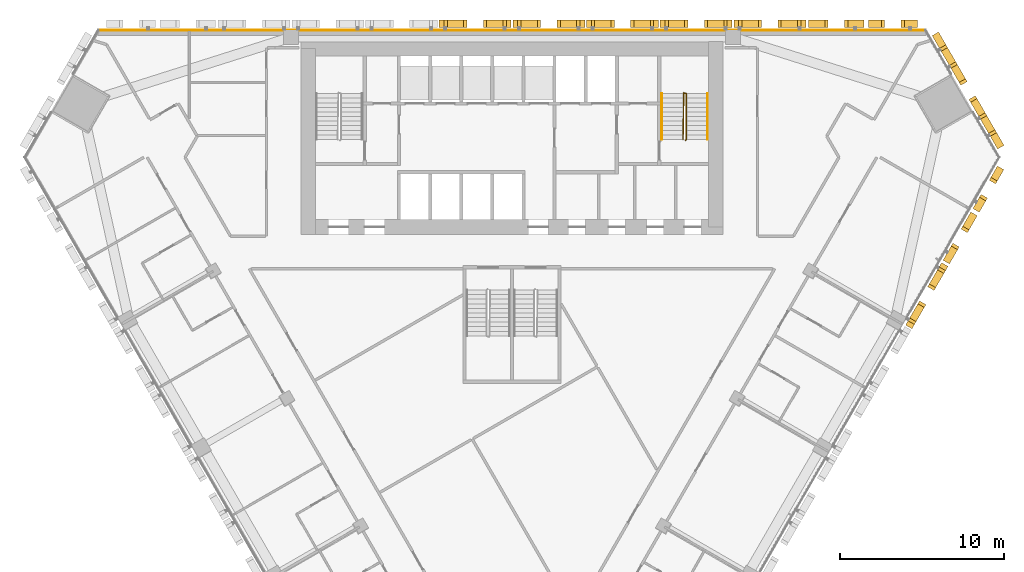
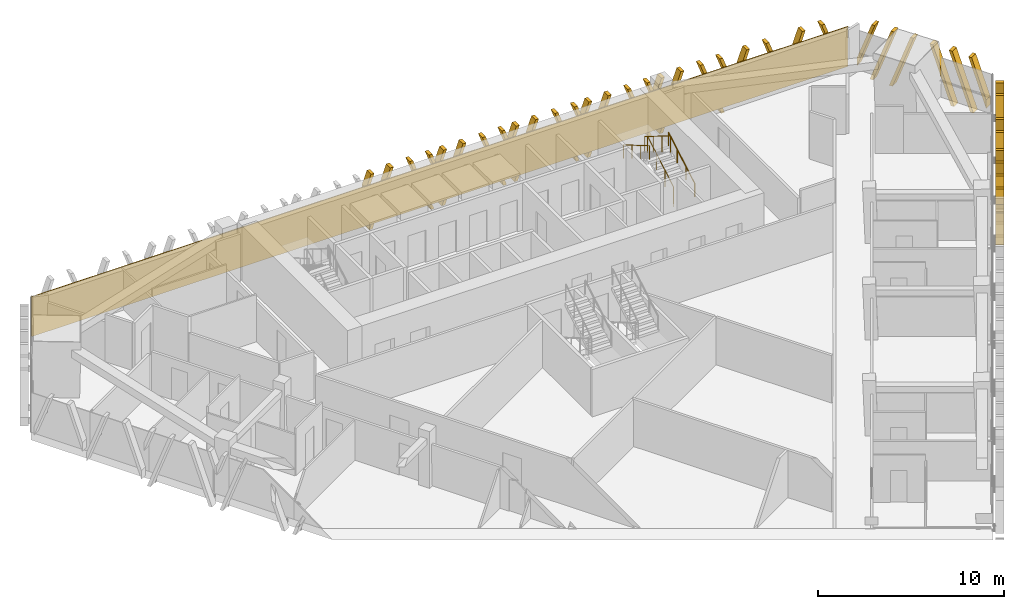
# One storey, part 15 of 16: 11 shading devices, 3 railings, 1 covering.
"""IFC4 building model written with IfcOpenShell, lengths in metres."""

from ifc_helpers import new_model, si_unit, direction, frame, frame_2d, origin, origin_2d, place, context, subcontext, project, spatial, polyline, rectangle, circle, outline, extrude, source, transform, mapped, material, layer, layer_set, type_object, element, save


model = new_model("IFC4")

# Units and contexts
model_context = context("Model", 3, precision=1e-05, world=origin(), true_north=direction((0.0, 1.0)))
body_context = subcontext(model_context, "Body", "Model", "MODEL_VIEW")
ifc_project = project(units=[si_unit("LENGTHUNIT", "METRE"), si_unit("AREAUNIT", "SQUARE_METRE"), si_unit("VOLUMEUNIT", "CUBIC_METRE"), si_unit("PLANEANGLEUNIT", "RADIAN"), si_unit("MASSUNIT", "GRAM", prefix="KILO")], contexts=[model_context])

# Site, building, storey
site_placement = place(None, origin())
site = spatial("IfcSite", under=ifc_project, at=site_placement, CompositionType="ELEMENT")
building_placement = place(site_placement, origin())
building = spatial("IfcBuilding", under=site, at=building_placement, Name="Altiplano Prism Tower", CompositionType="ELEMENT")
storey_placement = place(building_placement, frame((0.0, 0.0, 73.800048828125)))
storey = spatial("IfcBuildingStorey", under=building, at=storey_placement, Name="L18", CompositionType="ELEMENT", Elevation=73.800048828125)

# Railings
ifc_material_1 = material(Name="Steel S355", Category="steel")
railing_type_1 = type_object("IfcRailingType", Name="Stair guard 1100", PredefinedType="GUARDRAIL", material=ifc_material_1)
railing_1_placement = place(storey_placement, frame((95.60009765625, 98.25, 0.0)))
element("IfcRailing", 1, at=railing_1_placement, inside=storey, type_object=railing_type_1, Name="L18 ST2 stair guard 1", PredefinedType="GUARDRAIL", context=body_context, shape_type="SweptSolid", body=[
    extrude(circle(Radius=0.02392578125, at=origin_2d()), frame((0.0, 0.0, 1.076171875), z_axis=(0.279546231943, 0.280916556609, 0.91811752648), x_axis=(-0.708833529934, 0.705375805398, 0.0)), (0.0, 0.0, 1.0), 0.17822265625),
    extrude(circle(Radius=0.02392578125, at=origin_2d()), frame((0.0498046875, 0.050048828125, 1.23974609375), z_axis=(0.0, 0.863360870873, 0.504586966384), x_axis=(-1.0, 0.0, 0.0)), (0.0, 0.0, 1.0), 3.2431640625),
    extrude(circle(Radius=0.02392578125, at=origin_2d()), frame((0.0498046875, 2.85009765625, 2.8759765625), z_axis=(-0.948991962702, 0.315300261223, 0.0), x_axis=(-0.315300261223, -0.948991962702, 0.0)), (0.0, 0.0, 1.0), 0.157958984375),
    extrude(circle(Radius=0.02392578125, at=origin_2d()), frame((-0.10009765625, 2.89990234375, 2.8759765625), z_axis=(-0.014846992469, -0.845409478506, 0.533912334065), x_axis=(0.999845825584, -0.017559187376, 0.0)), (0.0, 0.0, 1.0), 3.37109375),
    extrude(circle(Radius=0.02099609375, at=origin_2d()), origin(), (0.0, 0.0, 1.0), 1.052001953125),
    extrude(circle(Radius=0.02099609375, at=origin_2d()), frame((0.0498046875, 0.050048828125, 0.16357421875)), (0.0, 0.0, 1.0), 1.052001953125),
    extrude(circle(Radius=0.02099609375, at=origin_2d()), frame((0.0498046875, 0.9833984375, 0.708984375)), (0.0, 0.0, 1.0), 1.052001953125),
    extrude(circle(Radius=0.02099609375, at=origin_2d()), frame((0.0498046875, 1.916748046875, 1.254638671875)), (0.0, 0.0, 1.0), 1.052001953125),
    extrude(circle(Radius=0.02099609375, at=origin_2d()), frame((0.0498046875, 2.85009765625, 1.800048828125)), (0.0, 0.0, 1.0), 1.052001953125),
    extrude(circle(Radius=0.02099609375, at=origin_2d()), frame((-0.10009765625, 2.89990234375, 1.800048828125)), (0.0, 0.0, 1.0), 1.052001953125),
    extrude(circle(Radius=0.02099609375, at=origin_2d()), frame((-0.11669921875, 1.949951171875, 2.39990234375)), (0.0, 0.0, 1.0), 1.052001953125),
    extrude(circle(Radius=0.02099609375, at=origin_2d()), frame((-0.133544921875, 1.0, 3.0)), (0.0, 0.0, 1.0), 1.052001953125),
    extrude(circle(Radius=0.02099609375, at=origin_2d()), frame((-0.150146484375, 0.050048828125, 3.599853515625)), (0.0, 0.0, 1.0), 1.052001953125),
])
railing_type_2 = type_object("IfcRailingType", Name="Stair handrail 900", PredefinedType="HANDRAIL", material=ifc_material_1)
railing_2_placement = place(storey_placement, frame((96.949951171875, 98.300048828125, 0.16357421875)))
element("IfcRailing", 2, at=railing_2_placement, inside=storey, type_object=railing_type_2, Name="L18 ST2 stair handrail 1", PredefinedType="HANDRAIL", context=body_context, shape_type="SweptSolid", body=[
    extrude(circle(Radius=0.02392578125, at=origin_2d()), frame((0.0, 0.0, 0.8759765625), z_axis=(0.0, 0.863360870873, 0.504586966384), x_axis=(-1.0, 0.0, 0.0)), (0.0, 0.0, 1.0), 3.2431640625),
    extrude(circle(Radius=0.02099609375, at=origin_2d()), origin(), (0.0, 0.0, 1.0), 0.851806640625),
    extrude(circle(Radius=0.02099609375, at=origin_2d()), frame((0.0, 0.933349609375, 0.54541015625)), (0.0, 0.0, 1.0), 0.851806640625),
    extrude(circle(Radius=0.02099609375, at=origin_2d()), frame((0.0, 1.86669921875, 1.091064453125)), (0.0, 0.0, 1.0), 0.851806640625),
    extrude(circle(Radius=0.02099609375, at=origin_2d()), frame((0.0, 2.800048828125, 1.636474609375)), (0.0, 0.0, 1.0), 0.851806640625),
])
railing_3_placement = place(storey_placement, frame((94.14990234375, 101.10009765625, 1.963623046875)))
element("IfcRailing", 3, at=railing_3_placement, inside=storey, type_object=railing_type_2, Name="L18 ST2 stair handrail 2", PredefinedType="HANDRAIL", context=body_context, shape_type="SweptSolid", body=[
    extrude(circle(Radius=0.02392578125, at=origin_2d()), frame((0.0, 0.0, 0.8759765625), z_axis=(0.0, -0.863393664356, 0.504530851732), x_axis=(1.0, 0.0, 0.0)), (0.0, 0.0, 1.0), 3.2431640625),
    extrude(circle(Radius=0.02099609375, at=origin_2d()), origin(), (0.0, 0.0, 1.0), 0.851806640625),
    extrude(circle(Radius=0.02099609375, at=origin_2d()), frame((0.0, -0.933349609375, 0.54541015625)), (0.0, 0.0, 1.0), 0.851806640625),
    extrude(circle(Radius=0.02099609375, at=origin_2d()), frame((0.0, -1.86669921875, 1.0908203125)), (0.0, 0.0, 1.0), 0.851806640625),
    extrude(circle(Radius=0.02099609375, at=origin_2d()), frame((0.0, -2.800048828125, 1.63623046875)), (0.0, 0.0, 1.0), 0.851806640625),
])

# Covering
ifc_material_2 = material(Name="Warm limestone cast stone", Category="masonry")
ifc_layer = layer(ifc_material_2, 0.06005859375)
ifc_layer_set = layer_set([ifc_layer], Name="Warm limestone cast stone")
covering_type = type_object("IfcCoveringType", Name="Stone cladding 60", PredefinedType="CLADDING", material=ifc_layer_set)
covering_placement = place(storey_placement, frame((59.7060546875, 104.969970703125, 0.0), z_axis=(0.0, 0.0, 1.0), x_axis=(1.0, 0.0, 0.0)))
element("IfcCovering", 4, at=covering_placement, inside=storey, type_object=covering_type, Name="Stone cladding north face L18", PredefinedType="CLADDING", context=body_context, shape_type="SweptSolid", body=[
    extrude(rectangle(XDim=50.587890625, YDim=0.06005859375, at=frame_2d((25.2939453125, 0.0))), origin(), (0.0, 0.0, 1.0), 2.599853515625),
])

# Shading devices
shading_device_type_1 = type_object("IfcShadingDeviceType", Name="Stone fin panel, standard unit", PredefinedType="USERDEFINED", material=ifc_material_2)
shared_shape_1 = source(origin(), body_context, "Body", "SweptSolid", [
    extrude(outline(polyline([(-2.199951171875, 2.226318359375), (-1.699951171875, 3.60009765625), (-1.89990234375, 3.60009765625), (-2.199951171875, 2.77587890625), (-2.199951171875, 2.226318359375)])), frame((0.0, -0.14990234375, 0.0), z_axis=(0.0, -1.0, 0.0), x_axis=(1.0, 0.0, 0.0)), (0.0, 0.0, 1.0), 0.4501953125),
    extrude(outline(polyline([(-2.01025390625, 0.0), (-1.810302734375, 0.0), (-0.5, 3.60009765625), (-0.699951171875, 3.60009765625), (-2.01025390625, 0.0)])), frame((0.0, -0.14990234375, 0.0), z_axis=(0.0, -1.0, 0.0), x_axis=(1.0, 0.0, 0.0)), (0.0, 0.0, 1.0), 0.4501953125),
    extrude(outline(polyline([(1.810302734375, 0.0), (2.01025390625, 0.0), (0.699951171875, 3.60009765625), (0.5, 3.60009765625), (1.810302734375, 0.0)])), frame((0.0, -0.14990234375, 0.0), z_axis=(0.0, -1.0, 0.0), x_axis=(1.0, 0.0, 0.0)), (0.0, 0.0, 1.0), 0.4501953125),
    extrude(outline(polyline([(2.199951171875, 2.77587890625), (1.89990234375, 3.60009765625), (1.699951171875, 3.60009765625), (2.199951171875, 2.226318359375), (2.199951171875, 2.77587890625)])), frame((0.0, -0.14990234375, 0.0), z_axis=(0.0, -1.0, 0.0), x_axis=(1.0, 0.0, 0.0)), (0.0, 0.0, 1.0), 0.4501953125),
])
shading_device_1_placement = place(storey_placement, origin())
element("IfcShadingDevice", 5, at=shading_device_1_placement, inside=storey, type_object=shading_device_type_1, Name="Fin L18 north face 3", ObjectType="FIN", PredefinedType="USERDEFINED", context=body_context, shape_type="MappedRepresentation", body=[
    mapped(shared_shape_1, transform((100.75, 105.0, -0.5), x_axis=(-1.0, 0.0, 0.0), y_axis=(0.0, -1.0, 0.0), z_axis=(0.0, 0.0, 1.0))),
])
shading_device_2_placement = place(storey_placement, origin())
element("IfcShadingDevice", 6, at=shading_device_2_placement, inside=storey, type_object=shading_device_type_1, Name="Fin L18 north face 4", ObjectType="FIN", PredefinedType="USERDEFINED", context=body_context, shape_type="MappedRepresentation", body=[
    mapped(shared_shape_1, transform((96.25, 105.0, -0.5), x_axis=(-1.0, 0.0, 0.0), y_axis=(0.0, -1.0, 0.0), z_axis=(0.0, 0.0, 1.0))),
])
shading_device_3_placement = place(storey_placement, origin())
element("IfcShadingDevice", 7, at=shading_device_3_placement, inside=storey, type_object=shading_device_type_1, Name="Fin L18 north face 5", ObjectType="FIN", PredefinedType="USERDEFINED", context=body_context, shape_type="MappedRepresentation", body=[
    mapped(shared_shape_1, transform((91.75, 105.0, -0.5), x_axis=(-1.0, 0.0, 0.0), y_axis=(0.0, -1.0, 0.0), z_axis=(0.0, 0.0, 1.0))),
])
shading_device_4_placement = place(storey_placement, origin())
element("IfcShadingDevice", 8, at=shading_device_4_placement, inside=storey, type_object=shading_device_type_1, Name="Fin L18 north face 6", ObjectType="FIN", PredefinedType="USERDEFINED", context=body_context, shape_type="MappedRepresentation", body=[
    mapped(shared_shape_1, transform((87.25, 105.0, -0.5), x_axis=(-1.0, 0.0, 0.0), y_axis=(0.0, -1.0, 0.0), z_axis=(0.0, 0.0, 1.0))),
])
shading_device_5_placement = place(storey_placement, origin())
element("IfcShadingDevice", 9, at=shading_device_5_placement, inside=storey, type_object=shading_device_type_1, Name="Fin L18 north face 7", ObjectType="FIN", PredefinedType="USERDEFINED", context=body_context, shape_type="MappedRepresentation", body=[
    mapped(shared_shape_1, transform((82.75, 105.0, -0.5), x_axis=(-1.0, 0.0, 0.0), y_axis=(0.0, -1.0, 0.0), z_axis=(0.0, 0.0, 1.0))),
])
shading_device_6_placement = place(storey_placement, origin())
element("IfcShadingDevice", 10, at=shading_device_6_placement, inside=storey, type_object=shading_device_type_1, Name="Fin L18 south-east face 10", ObjectType="FIN", PredefinedType="USERDEFINED", context=body_context, shape_type="MappedRepresentation", body=[
    mapped(shared_shape_1, transform((110.021728515625, 88.94091796875, -0.5), x_axis=(0.500000003023, 0.866025402039, 0.0), y_axis=(-0.866025402039, 0.500000003023, 0.0), z_axis=(0.0, 0.0, 1.0))),
])
shading_device_type_2 = type_object("IfcShadingDeviceType", Name="Stone fin panel, narrow closing bay", PredefinedType="USERDEFINED", material=ifc_material_2)
shared_shape_2 = source(origin(), body_context, "Body", "SweptSolid", [
    extrude(outline(polyline([(-1.699951171875, 0.302978515625), (-0.5, 3.60009765625), (-0.699951171875, 3.60009765625), (-1.699951171875, 0.8525390625), (-1.699951171875, 0.302978515625)])), frame((0.0, -0.14990234375, 0.0), z_axis=(0.0, -1.0, 0.0), x_axis=(1.0, 0.0, 0.0)), (0.0, 0.0, 1.0), 0.4501953125),
    extrude(outline(polyline([(1.699951171875, 0.8525390625), (0.699951171875, 3.60009765625), (0.5, 3.60009765625), (1.699951171875, 0.302978515625), (1.699951171875, 0.8525390625)])), frame((0.0, -0.14990234375, 0.0), z_axis=(0.0, -1.0, 0.0), x_axis=(1.0, 0.0, 0.0)), (0.0, 0.0, 1.0), 0.4501953125),
])
shading_device_7_placement = place(storey_placement, origin())
element("IfcShadingDevice", 11, at=shading_device_7_placement, inside=storey, type_object=shading_device_type_2, Name="Fin L18 north face 2", ObjectType="FIN", PredefinedType="USERDEFINED", context=body_context, shape_type="MappedRepresentation", body=[
    mapped(shared_shape_2, transform((104.823486328125, 105.0, -0.5), x_axis=(-1.0, 0.0, 0.0), y_axis=(0.0, -1.0, 0.0), z_axis=(0.0, 0.0, 1.0))),
])
shading_device_8_placement = place(storey_placement, origin())
element("IfcShadingDevice", 12, at=shading_device_8_placement, inside=storey, type_object=shading_device_type_2, Name="Fin L18 south-east face 11", ObjectType="FIN", PredefinedType="USERDEFINED", context=body_context, shape_type="MappedRepresentation", body=[
    mapped(shared_shape_2, transform((112.058349609375, 92.46875, -0.5), x_axis=(0.500000003023, 0.866025402039, 0.0), y_axis=(-0.866025402039, 0.500000003023, 0.0), z_axis=(0.0, 0.0, 1.0))),
])
shared_shape_3 = source(origin(), body_context, "Body", "SweptSolid", [
    extrude(outline(polyline([(-1.5, 0.8525390625), (-0.5, 3.60009765625), (-0.699951171875, 3.60009765625), (-1.5, 1.402099609375), (-1.5, 0.8525390625)])), frame((0.0, -0.14990234375, 0.0), z_axis=(0.0, -1.0, 0.0), x_axis=(1.0, 0.0, 0.0)), (0.0, 0.0, 1.0), 0.4501953125),
    extrude(outline(polyline([(1.5, 1.402099609375), (0.699951171875, 3.60009765625), (0.5, 3.60009765625), (1.5, 0.8525390625), (1.5, 1.402099609375)])), frame((0.0, -0.14990234375, 0.0), z_axis=(0.0, -1.0, 0.0), x_axis=(1.0, 0.0, 0.0)), (0.0, 0.0, 1.0), 0.4501953125),
])
shading_device_9_placement = place(storey_placement, origin())
element("IfcShadingDevice", 13, at=shading_device_9_placement, inside=storey, type_object=shading_device_type_2, Name="Fin L18 north face 1", ObjectType="FIN", PredefinedType="USERDEFINED", context=body_context, shape_type="MappedRepresentation", body=[
    mapped(shared_shape_3, transform((108.2705078125, 105.0, -0.5), x_axis=(-1.0, 0.0, 0.0), y_axis=(0.0, -1.0, 0.0), z_axis=(0.0, 0.0, 1.0))),
])
shading_device_10_placement = place(storey_placement, origin())
element("IfcShadingDevice", 14, at=shading_device_10_placement, inside=storey, type_object=shading_device_type_2, Name="Fin L18 south-east face 12", ObjectType="FIN", PredefinedType="USERDEFINED", context=body_context, shape_type="MappedRepresentation", body=[
    mapped(shared_shape_3, transform((113.781982421875, 95.453857421875, -0.5), x_axis=(0.500000003023, 0.866025402039, 0.0), y_axis=(-0.866025402039, 0.500000003023, 0.0), z_axis=(0.0, 0.0, 1.0))),
])
shading_device_type_3 = type_object("IfcShadingDeviceType", Name="Stone fin panel, chamfer unit", PredefinedType="USERDEFINED", material=ifc_material_2)
shared_shape_4 = source(origin(), body_context, "Body", "SweptSolid", [
    extrude(outline(polyline([(-4.0, 0.577880859375), (-2.89990234375, 3.60009765625), (-3.10009765625, 3.60009765625), (-4.0, 1.127197265625), (-4.0, 0.577880859375)])), frame((0.0, -0.14990234375, 0.0), z_axis=(0.0, -1.0, 0.0), x_axis=(1.0, 0.0, 0.0)), (0.0, 0.0, 1.0), 0.4501953125),
    extrude(outline(polyline([(-3.210205078125, 0.0), (-3.01025390625, 0.0), (-1.699951171875, 3.60009765625), (-1.89990234375, 3.60009765625), (-3.210205078125, 0.0)])), frame((0.0, -0.14990234375, 0.0), z_axis=(0.0, -1.0, 0.0), x_axis=(1.0, 0.0, 0.0)), (0.0, 0.0, 1.0), 0.4501953125),
    extrude(outline(polyline([(-2.01025390625, 0.0), (-1.810302734375, 0.0), (-0.5, 3.60009765625), (-0.699951171875, 3.60009765625), (-2.01025390625, 0.0)])), frame((0.0, -0.14990234375, 0.0), z_axis=(0.0, -1.0, 0.0), x_axis=(1.0, 0.0, 0.0)), (0.0, 0.0, 1.0), 0.4501953125),
    extrude(outline(polyline([(1.810302734375, 0.0), (2.01025390625, 0.0), (0.699951171875, 3.60009765625), (0.5, 3.60009765625), (1.810302734375, 0.0)])), frame((0.0, -0.14990234375, 0.0), z_axis=(0.0, -1.0, 0.0), x_axis=(1.0, 0.0, 0.0)), (0.0, 0.0, 1.0), 0.4501953125),
    extrude(outline(polyline([(3.01025390625, 0.0), (3.210205078125, 0.0), (1.89990234375, 3.60009765625), (1.699951171875, 3.60009765625), (3.01025390625, 0.0)])), frame((0.0, -0.14990234375, 0.0), z_axis=(0.0, -1.0, 0.0), x_axis=(1.0, 0.0, 0.0)), (0.0, 0.0, 1.0), 0.4501953125),
    extrude(outline(polyline([(4.0, 1.127197265625), (3.10009765625, 3.60009765625), (2.89990234375, 3.60009765625), (4.0, 0.577880859375), (4.0, 1.127197265625)])), frame((0.0, -0.14990234375, 0.0), z_axis=(0.0, -1.0, 0.0), x_axis=(1.0, 0.0, 0.0)), (0.0, 0.0, 1.0), 0.4501953125),
])
shading_device_11_placement = place(storey_placement, origin())
element("IfcShadingDevice", 15, at=shading_device_11_placement, inside=storey, type_object=shading_device_type_3, Name="Fin L18 north-east chamfer 1", ObjectType="FIN", PredefinedType="USERDEFINED", context=body_context, shape_type="MappedRepresentation", body=[
    mapped(shared_shape_4, transform((112.543701171875, 101.103271484375, -0.5), x_axis=(-0.500000016987, 0.866025393977, 0.0), y_axis=(-0.866025393977, -0.500000016987, 0.0), z_axis=(0.0, 0.0, 1.0))),
])

save(model, "model.ifc")
